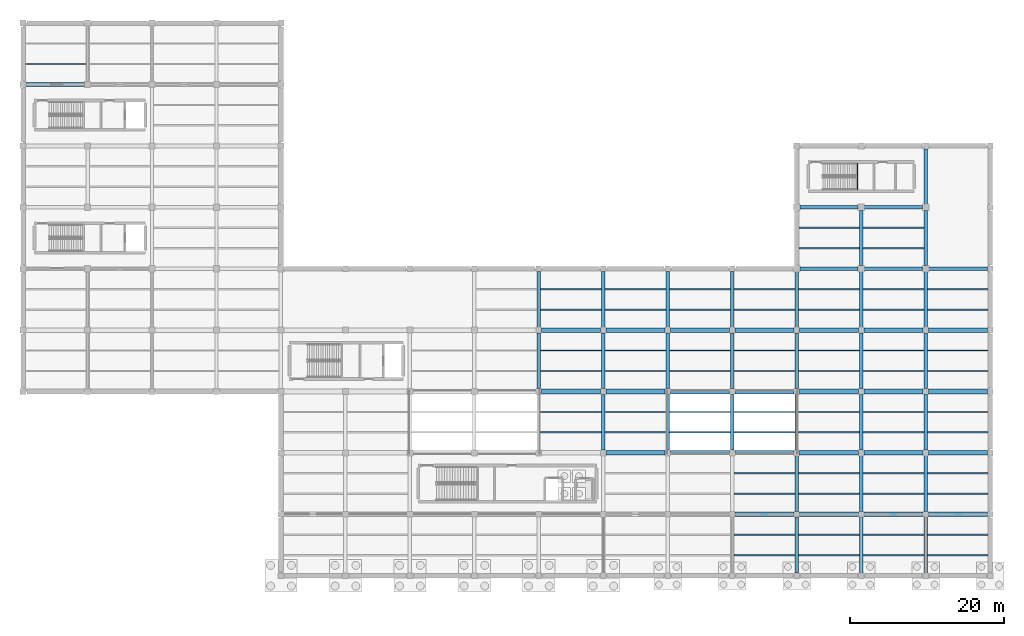
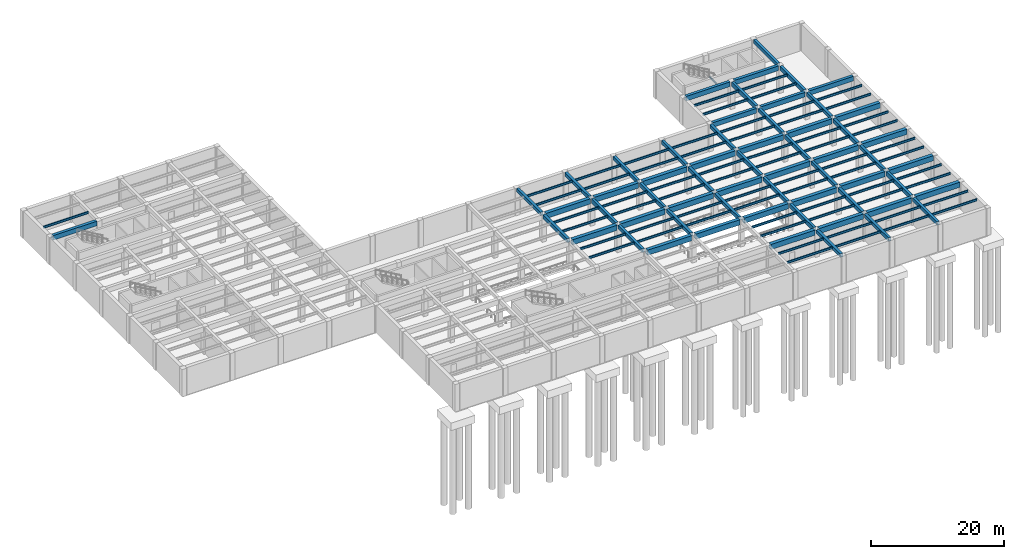
# One storey, part 3 of 16: 123 beams.
"""IFC4 building model written with IfcOpenShell, lengths in metres."""

from ifc_helpers import new_model, si_unit, direction, frame, origin, origin_2d, place, context, subcontext, project, spatial, rectangle, i_section, extrude, material, material_profile, profile_set, type_object, element, save


model = new_model("IFC4")

# Units and contexts
model_context = context("Model", 3, precision=1e-05, world=origin(), true_north=direction((0.0, 1.0)))
body_context = subcontext(model_context, "Body", "Model", "MODEL_VIEW")
ifc_project = project(units=[si_unit("LENGTHUNIT", "METRE"), si_unit("AREAUNIT", "SQUARE_METRE"), si_unit("VOLUMEUNIT", "CUBIC_METRE"), si_unit("PLANEANGLEUNIT", "RADIAN"), si_unit("MASSUNIT", "GRAM", prefix="KILO")], contexts=[model_context])

# Site, building, storey
site_placement = place(None, origin())
site = spatial("IfcSite", under=ifc_project, at=site_placement, CompositionType="ELEMENT")
building_placement = place(site_placement, origin())
building = spatial("IfcBuilding", under=site, at=building_placement, Name="Kranzveld Transit Interchange", CompositionType="ELEMENT")
storey_placement = place(building_placement, frame((0.0, 0.0, -5.43994140625)))
storey = spatial("IfcBuildingStorey", under=building, at=storey_placement, Name="B1", CompositionType="ELEMENT", Elevation=-5.43994140625)

# Beams
ifc_material_1 = material(Name="Concrete C35/45", Category="concrete")
ifc_material_profile_1 = material_profile(ifc_material_1, rectangle(XDim=0.449951171875, YDim=0.64990234375, at=origin_2d()), Name="RC 450x650")
ifc_profile_set_1 = profile_set([ifc_material_profile_1], Name="Concrete C35/45")
beam_type_1 = type_object("IfcBeamType", Name="Beam RC 450x650 C35/45", PredefinedType="BEAM", material=ifc_profile_set_1)
for number, where, z_axis, x_axis, name in (
    (1, (67.199951171875, 56.364990234375, 4.69482421875), (0.0, 1.0, 0.0), (-1.0, 0.0, 0.0), "B1 Girder 09/H-J"),
    (2, (75.60009765625, 40.364990234375, 4.69482421875), (0.0, 1.0, 0.0), (-1.0, 0.0, 0.0), "B1 Girder 10/F-G"),
    (3, (75.60009765625, 56.364990234375, 4.69482421875), (0.0, 1.0, 0.0), (-1.0, 0.0, 0.0), "B1 Girder 10/H-J"),
    (4, (84.0, 40.364990234375, 4.69482421875), (0.0, 1.0, 0.0), (-1.0, 0.0, 0.0), "B1 Girder 11/F-G"),
    (5, (84.0, 56.364990234375, 4.69482421875), (0.0, 1.0, 0.0), (-1.0, 0.0, 0.0), "B1 Girder 11/H-J"),
    (6, (92.39990234375, 40.364990234375, 4.69482421875), (0.0, 1.0, 0.0), (-1.0, 0.0, 0.0), "B1 Girder 12/F-G"),
    (7, (92.39990234375, 56.364990234375, 4.69482421875), (0.0, 1.0, 0.0), (-1.0, 0.0, 0.0), "B1 Girder 12/H-J"),
    (8, (100.800048828125, 24.364990234375, 4.69482421875), (0.0, 1.0, 0.0), (-1.0, 0.0, 0.0), "B1 Girder 13/D-E"),
    (9, (100.800048828125, 40.364990234375, 4.69482421875), (0.0, 1.0, 0.0), (-1.0, 0.0, 0.0), "B1 Girder 13/F-G"),
):
    element("IfcBeam", number, at=place(storey_placement, frame(where, z_axis=z_axis, x_axis=x_axis)), inside=storey, type_object=beam_type_1, Name=name, PredefinedType="BEAM", context=body_context, shape_type="SweptSolid", body=[
        extrude(rectangle(XDim=0.449951171875, YDim=0.64990234375, at=origin_2d()), origin(), (0.0, 0.0, 1.0), 7.27001953125),
    ])
beam_1_placement = place(storey_placement, frame((100.800048828125, 56.364990234375, 4.69482421875), z_axis=(0.0, 1.0, 0.0), x_axis=(-1.0, 0.0, 0.0)))
element("IfcBeam", 10, at=beam_1_placement, inside=storey, type_object=beam_type_1, Name="B1 Girder 13/H-J", PredefinedType="BEAM", context=body_context, shape_type="SweptSolid", body=[
    extrude(rectangle(XDim=0.449951171875, YDim=0.64990234375, at=origin_2d()), origin(), (0.0, 0.0, 1.0), 7.2451171875),
])
for number, where, z_axis, x_axis, name in (
    (11, (109.199951171875, 24.364990234375, 4.69482421875), (0.0, 1.0, 0.0), (-1.0, 0.0, 0.0), "B1 Girder 14/D-E"),
    (12, (109.199951171875, 40.364990234375, 4.69482421875), (0.0, 1.0, 0.0), (-1.0, 0.0, 0.0), "B1 Girder 14/F-G"),
):
    element("IfcBeam", number, at=place(storey_placement, frame(where, z_axis=z_axis, x_axis=x_axis)), inside=storey, type_object=beam_type_1, Name=name, PredefinedType="BEAM", context=body_context, shape_type="SweptSolid", body=[
        extrude(rectangle(XDim=0.449951171875, YDim=0.64990234375, at=origin_2d()), origin(), (0.0, 0.0, 1.0), 7.27001953125),
    ])
beam_2_placement = place(storey_placement, frame((109.199951171875, 56.364990234375, 4.69482421875), z_axis=(0.0, 1.0, 0.0), x_axis=(-1.0, 0.0, 0.0)))
element("IfcBeam", 13, at=beam_2_placement, inside=storey, type_object=beam_type_1, Name="B1 Girder 14/H-J", PredefinedType="BEAM", context=body_context, shape_type="SweptSolid", body=[
    extrude(rectangle(XDim=0.449951171875, YDim=0.64990234375, at=origin_2d()), origin(), (0.0, 0.0, 1.0), 7.2451171875),
])
for number, where, z_axis, x_axis, name in (
    (14, (117.60009765625, 24.364990234375, 4.69482421875), (0.0, 1.0, 0.0), (-1.0, 0.0, 0.0), "B1 Girder 15/D-E"),
    (15, (117.60009765625, 40.364990234375, 4.69482421875), (0.0, 1.0, 0.0), (-1.0, 0.0, 0.0), "B1 Girder 15/F-G"),
):
    element("IfcBeam", number, at=place(storey_placement, frame(where, z_axis=z_axis, x_axis=x_axis)), inside=storey, type_object=beam_type_1, Name=name, PredefinedType="BEAM", context=body_context, shape_type="SweptSolid", body=[
        extrude(rectangle(XDim=0.449951171875, YDim=0.64990234375, at=origin_2d()), origin(), (0.0, 0.0, 1.0), 7.27001953125),
    ])
beam_3_placement = place(storey_placement, frame((117.60009765625, 56.364990234375, 4.69482421875), z_axis=(0.0, 1.0, 0.0), x_axis=(-1.0, 0.0, 0.0)))
element("IfcBeam", 16, at=beam_3_placement, inside=storey, type_object=beam_type_1, Name="B1 Girder 15/H-J", PredefinedType="BEAM", context=body_context, shape_type="SweptSolid", body=[
    extrude(rectangle(XDim=0.449951171875, YDim=0.64990234375, at=origin_2d()), origin(), (0.0, 0.0, 1.0), 7.2451171875),
])
beam_4_placement = place(storey_placement, frame((117.60009765625, 72.389892578125, 4.69482421875), z_axis=(0.0, 1.0, 0.0), x_axis=(-1.0, 0.0, 0.0)))
element("IfcBeam", 17, at=beam_4_placement, inside=storey, type_object=beam_type_1, Name="B1 Girder 15/K-L", PredefinedType="BEAM", context=body_context, shape_type="SweptSolid", body=[
    extrude(rectangle(XDim=0.449951171875, YDim=0.64990234375, at=origin_2d()), origin(), (0.0, 0.0, 1.0), 7.22021484375),
])
ifc_material_2 = material(Name="Concrete C35/45", Category="concrete")
ifc_material_profile_2 = material_profile(ifc_material_2, rectangle(XDim=0.449951171875, YDim=0.75, at=origin_2d()), Name="RC 450x750")
ifc_profile_set_2 = profile_set([ifc_material_profile_2], Name="Concrete C35/45")
beam_type_2 = type_object("IfcBeamType", Name="Beam RC 450x750 C35/45", PredefinedType="BEAM", material=ifc_profile_set_2)
for number, where, z_axis, x_axis, name in (
    (18, (67.199951171875, 48.364990234375, 4.64501953125), (0.0, 1.0, 0.0), (-1.0, 0.0, 0.0), "B1 Girder 09/G-H"),
    (19, (75.60009765625, 48.364990234375, 4.64501953125), (0.0, 1.0, 0.0), (-1.0, 0.0, 0.0), "B1 Girder 10/G-H"),
    (20, (84.0, 48.364990234375, 4.64501953125), (0.0, 1.0, 0.0), (-1.0, 0.0, 0.0), "B1 Girder 11/G-H"),
    (21, (92.39990234375, 48.364990234375, 4.64501953125), (0.0, 1.0, 0.0), (-1.0, 0.0, 0.0), "B1 Girder 12/G-H"),
    (22, (100.800048828125, 32.364990234375, 4.64501953125), (0.0, 1.0, 0.0), (-1.0, 0.0, 0.0), "B1 Girder 13/E-F"),
    (23, (100.800048828125, 48.364990234375, 4.64501953125), (0.0, 1.0, 0.0), (-1.0, 0.0, 0.0), "B1 Girder 13/G-H"),
    (24, (109.199951171875, 32.364990234375, 4.64501953125), (0.0, 1.0, 0.0), (-1.0, 0.0, 0.0), "B1 Girder 14/E-F"),
    (25, (109.199951171875, 48.364990234375, 4.64501953125), (0.0, 1.0, 0.0), (-1.0, 0.0, 0.0), "B1 Girder 14/G-H"),
):
    element("IfcBeam", number, at=place(storey_placement, frame(where, z_axis=z_axis, x_axis=x_axis)), inside=storey, type_object=beam_type_2, Name=name, PredefinedType="BEAM", context=body_context, shape_type="SweptSolid", body=[
        extrude(rectangle(XDim=0.449951171875, YDim=0.75, at=origin_2d()), origin(), (0.0, 0.0, 1.0), 7.27001953125),
    ])
beam_5_placement = place(storey_placement, frame((109.199951171875, 64.389892578125, 4.64501953125), z_axis=(0.0, 1.0, 0.0), x_axis=(-1.0, 0.0, 0.0)))
element("IfcBeam", 26, at=beam_5_placement, inside=storey, type_object=beam_type_2, Name="B1 Girder 14/J-K", PredefinedType="BEAM", context=body_context, shape_type="SweptSolid", body=[
    extrude(rectangle(XDim=0.449951171875, YDim=0.75, at=origin_2d()), origin(), (0.0, 0.0, 1.0), 7.22021484375),
])
for number, where, z_axis, x_axis, name in (
    (27, (117.60009765625, 32.364990234375, 4.64501953125), (0.0, 1.0, 0.0), (-1.0, 0.0, 0.0), "B1 Girder 15/E-F"),
    (28, (117.60009765625, 48.364990234375, 4.64501953125), (0.0, 1.0, 0.0), (-1.0, 0.0, 0.0), "B1 Girder 15/G-H"),
):
    element("IfcBeam", number, at=place(storey_placement, frame(where, z_axis=z_axis, x_axis=x_axis)), inside=storey, type_object=beam_type_2, Name=name, PredefinedType="BEAM", context=body_context, shape_type="SweptSolid", body=[
        extrude(rectangle(XDim=0.449951171875, YDim=0.75, at=origin_2d()), origin(), (0.0, 0.0, 1.0), 7.27001953125),
    ])
beam_6_placement = place(storey_placement, frame((117.60009765625, 64.389892578125, 4.64501953125), z_axis=(0.0, 1.0, 0.0), x_axis=(-1.0, 0.0, 0.0)))
element("IfcBeam", 29, at=beam_6_placement, inside=storey, type_object=beam_type_2, Name="B1 Girder 15/J-K", PredefinedType="BEAM", context=body_context, shape_type="SweptSolid", body=[
    extrude(rectangle(XDim=0.449951171875, YDim=0.75, at=origin_2d()), origin(), (0.0, 0.0, 1.0), 7.22021484375),
])
ifc_material_3 = material(Name="Steel S355JR", Category="steel")
ifc_material_profile_3 = material_profile(ifc_material_3, i_section(OverallWidth=0.177978515625, OverallDepth=0.406494140625, WebThickness=0.0078125, FlangeThickness=0.0126953125, FilletRadius=0.01025390625, at=origin_2d()), Name="UB 406x178x60")
ifc_profile_set_3 = profile_set([ifc_material_profile_3], Name="Steel S355JR")
beam_type_3 = type_object("IfcBeamType", Name="Floor Joist UB 406x178x60 S355JR", PredefinedType="JOIST", material=ifc_profile_set_3)
beam_7_placement = place(storey_placement, frame((0.302001953125, 90.666748046875, 4.816650390625), z_axis=(1.0, 0.0, 0.0), x_axis=(0.0, 1.0, 0.0)))
element("IfcBeam", 30, at=beam_7_placement, inside=storey, type_object=beam_type_3, Name="B1 Secondary Joist 01-02/M.1", PredefinedType="JOIST", context=body_context, shape_type="SweptSolid", body=[
    extrude(i_section(OverallWidth=0.177978515625, OverallDepth=0.406494140625, WebThickness=0.0078125, FlangeThickness=0.0126953125, FilletRadius=0.01025390625, at=origin_2d()), origin(), (0.0, 0.0, 1.0), 7.87109375),
])
for number, where, z_axis, x_axis, name in (
    (31, (67.427001953125, 42.666748046875, 4.816650390625), (1.0, 0.0, 0.0), (0.0, 1.0, 0.0), "B1 Secondary Joist 09-10/F.1"),
    (32, (67.427001953125, 45.333251953125, 4.816650390625), (1.0, 0.0, 0.0), (0.0, 1.0, 0.0), "B1 Secondary Joist 09-10/F.2"),
    (33, (67.427001953125, 50.666748046875, 4.816650390625), (1.0, 0.0, 0.0), (0.0, 1.0, 0.0), "B1 Secondary Joist 09-10/G.1"),
    (34, (67.427001953125, 53.333251953125, 4.816650390625), (1.0, 0.0, 0.0), (0.0, 1.0, 0.0), "B1 Secondary Joist 09-10/G.2"),
    (35, (67.427001953125, 58.666748046875, 4.816650390625), (1.0, 0.0, 0.0), (0.0, 1.0, 0.0), "B1 Secondary Joist 09-10/H.1"),
    (36, (67.427001953125, 61.333251953125, 4.816650390625), (1.0, 0.0, 0.0), (0.0, 1.0, 0.0), "B1 Secondary Joist 09-10/H.2"),
    (37, (75.826904296875, 42.666748046875, 4.816650390625), (1.0, 0.0, 0.0), (0.0, 1.0, 0.0), "B1 Secondary Joist 10-11/F.1"),
    (38, (75.826904296875, 45.333251953125, 4.816650390625), (1.0, 0.0, 0.0), (0.0, 1.0, 0.0), "B1 Secondary Joist 10-11/F.2"),
    (39, (75.826904296875, 50.666748046875, 4.816650390625), (1.0, 0.0, 0.0), (0.0, 1.0, 0.0), "B1 Secondary Joist 10-11/G.1"),
    (40, (75.826904296875, 53.333251953125, 4.816650390625), (1.0, 0.0, 0.0), (0.0, 1.0, 0.0), "B1 Secondary Joist 10-11/G.2"),
    (41, (75.826904296875, 58.666748046875, 4.816650390625), (1.0, 0.0, 0.0), (0.0, 1.0, 0.0), "B1 Secondary Joist 10-11/H.1"),
    (42, (75.826904296875, 61.333251953125, 4.816650390625), (1.0, 0.0, 0.0), (0.0, 1.0, 0.0), "B1 Secondary Joist 10-11/H.2"),
    (43, (84.22705078125, 42.666748046875, 4.816650390625), (1.0, 0.0, 0.0), (0.0, 1.0, 0.0), "B1 Secondary Joist 11-12/F.1"),
    (44, (84.22705078125, 45.333251953125, 4.816650390625), (1.0, 0.0, 0.0), (0.0, 1.0, 0.0), "B1 Secondary Joist 11-12/F.2"),
    (45, (84.22705078125, 50.666748046875, 4.816650390625), (1.0, 0.0, 0.0), (0.0, 1.0, 0.0), "B1 Secondary Joist 11-12/G.1"),
    (46, (84.22705078125, 53.333251953125, 4.816650390625), (1.0, 0.0, 0.0), (0.0, 1.0, 0.0), "B1 Secondary Joist 11-12/G.2"),
    (47, (84.22705078125, 58.666748046875, 4.816650390625), (1.0, 0.0, 0.0), (0.0, 1.0, 0.0), "B1 Secondary Joist 11-12/H.1"),
    (48, (84.22705078125, 61.333251953125, 4.816650390625), (1.0, 0.0, 0.0), (0.0, 1.0, 0.0), "B1 Secondary Joist 11-12/H.2"),
    (49, (92.626953125, 26.666748046875, 4.816650390625), (1.0, 0.0, 0.0), (0.0, 1.0, 0.0), "B1 Secondary Joist 12-13/D.1"),
    (50, (92.626953125, 29.333251953125, 4.816650390625), (1.0, 0.0, 0.0), (0.0, 1.0, 0.0), "B1 Secondary Joist 12-13/D.2"),
    (51, (92.626953125, 34.666748046875, 4.816650390625), (1.0, 0.0, 0.0), (0.0, 1.0, 0.0), "B1 Secondary Joist 12-13/E.1"),
    (52, (92.626953125, 37.333251953125, 4.816650390625), (1.0, 0.0, 0.0), (0.0, 1.0, 0.0), "B1 Secondary Joist 12-13/E.2"),
    (53, (92.626953125, 42.666748046875, 4.816650390625), (1.0, 0.0, 0.0), (0.0, 1.0, 0.0), "B1 Secondary Joist 12-13/F.1"),
    (54, (92.626953125, 45.333251953125, 4.816650390625), (1.0, 0.0, 0.0), (0.0, 1.0, 0.0), "B1 Secondary Joist 12-13/F.2"),
    (55, (92.626953125, 50.666748046875, 4.816650390625), (1.0, 0.0, 0.0), (0.0, 1.0, 0.0), "B1 Secondary Joist 12-13/G.1"),
    (56, (92.626953125, 53.333251953125, 4.816650390625), (1.0, 0.0, 0.0), (0.0, 1.0, 0.0), "B1 Secondary Joist 12-13/G.2"),
    (57, (92.626953125, 58.666748046875, 4.816650390625), (1.0, 0.0, 0.0), (0.0, 1.0, 0.0), "B1 Secondary Joist 12-13/H.1"),
    (58, (92.626953125, 61.333251953125, 4.816650390625), (1.0, 0.0, 0.0), (0.0, 1.0, 0.0), "B1 Secondary Joist 12-13/H.2"),
):
    element("IfcBeam", number, at=place(storey_placement, frame(where, z_axis=z_axis, x_axis=x_axis)), inside=storey, type_object=beam_type_3, Name=name, PredefinedType="JOIST", context=body_context, shape_type="SweptSolid", body=[
        extrude(i_section(OverallWidth=0.177978515625, OverallDepth=0.406494140625, WebThickness=0.0078125, FlangeThickness=0.0126953125, FilletRadius=0.01025390625, at=origin_2d()), origin(), (0.0, 0.0, 1.0), 7.946044921875),
    ])
for number, where, z_axis, x_axis, name in (
    (59, (101.027099609375, 26.666748046875, 4.816650390625), (1.0, 0.0, 0.0), (0.0, 1.0, 0.0), "B1 Secondary Joist 13-14/D.1"),
    (60, (101.027099609375, 29.333251953125, 4.816650390625), (1.0, 0.0, 0.0), (0.0, 1.0, 0.0), "B1 Secondary Joist 13-14/D.2"),
    (61, (101.027099609375, 34.666748046875, 4.816650390625), (1.0, 0.0, 0.0), (0.0, 1.0, 0.0), "B1 Secondary Joist 13-14/E.1"),
    (62, (101.027099609375, 37.333251953125, 4.816650390625), (1.0, 0.0, 0.0), (0.0, 1.0, 0.0), "B1 Secondary Joist 13-14/E.2"),
    (63, (101.027099609375, 42.666748046875, 4.816650390625), (1.0, 0.0, 0.0), (0.0, 1.0, 0.0), "B1 Secondary Joist 13-14/F.1"),
    (64, (101.027099609375, 45.333251953125, 4.816650390625), (1.0, 0.0, 0.0), (0.0, 1.0, 0.0), "B1 Secondary Joist 13-14/F.2"),
    (65, (101.027099609375, 50.666748046875, 4.816650390625), (1.0, 0.0, 0.0), (0.0, 1.0, 0.0), "B1 Secondary Joist 13-14/G.1"),
    (66, (101.027099609375, 53.333251953125, 4.816650390625), (1.0, 0.0, 0.0), (0.0, 1.0, 0.0), "B1 Secondary Joist 13-14/G.2"),
    (67, (101.027099609375, 58.666748046875, 4.816650390625), (1.0, 0.0, 0.0), (0.0, 1.0, 0.0), "B1 Secondary Joist 13-14/H.1"),
    (68, (101.027099609375, 61.333251953125, 4.816650390625), (1.0, 0.0, 0.0), (0.0, 1.0, 0.0), "B1 Secondary Joist 13-14/H.2"),
):
    element("IfcBeam", number, at=place(storey_placement, frame(where, z_axis=z_axis, x_axis=x_axis)), inside=storey, type_object=beam_type_3, Name=name, PredefinedType="JOIST", context=body_context, shape_type="SweptSolid", body=[
        extrude(i_section(OverallWidth=0.177978515625, OverallDepth=0.406494140625, WebThickness=0.0078125, FlangeThickness=0.0126953125, FilletRadius=0.01025390625, at=origin_2d()), origin(), (0.0, 0.0, 1.0), 7.94580078125),
    ])
for number, where, z_axis, x_axis, name in (
    (69, (101.10205078125, 66.666748046875, 4.816650390625), (1.0, 0.0, 0.0), (0.0, 1.0, 0.0), "B1 Secondary Joist 13-14/J.1"),
    (70, (101.10205078125, 69.333251953125, 4.816650390625), (1.0, 0.0, 0.0), (0.0, 1.0, 0.0), "B1 Secondary Joist 13-14/J.2"),
):
    element("IfcBeam", number, at=place(storey_placement, frame(where, z_axis=z_axis, x_axis=x_axis)), inside=storey, type_object=beam_type_3, Name=name, PredefinedType="JOIST", context=body_context, shape_type="SweptSolid", body=[
        extrude(i_section(OverallWidth=0.177978515625, OverallDepth=0.406494140625, WebThickness=0.0078125, FlangeThickness=0.0126953125, FilletRadius=0.01025390625, at=origin_2d()), origin(), (0.0, 0.0, 1.0), 7.870849609375),
    ])
for number, where, z_axis, x_axis, name in (
    (71, (109.427001953125, 26.666748046875, 4.816650390625), (1.0, 0.0, 0.0), (0.0, 1.0, 0.0), "B1 Secondary Joist 14-15/D.1"),
    (72, (109.427001953125, 29.333251953125, 4.816650390625), (1.0, 0.0, 0.0), (0.0, 1.0, 0.0), "B1 Secondary Joist 14-15/D.2"),
    (73, (109.427001953125, 34.666748046875, 4.816650390625), (1.0, 0.0, 0.0), (0.0, 1.0, 0.0), "B1 Secondary Joist 14-15/E.1"),
    (74, (109.427001953125, 37.333251953125, 4.816650390625), (1.0, 0.0, 0.0), (0.0, 1.0, 0.0), "B1 Secondary Joist 14-15/E.2"),
    (75, (109.427001953125, 42.666748046875, 4.816650390625), (1.0, 0.0, 0.0), (0.0, 1.0, 0.0), "B1 Secondary Joist 14-15/F.1"),
    (76, (109.427001953125, 45.333251953125, 4.816650390625), (1.0, 0.0, 0.0), (0.0, 1.0, 0.0), "B1 Secondary Joist 14-15/F.2"),
    (77, (109.427001953125, 50.666748046875, 4.816650390625), (1.0, 0.0, 0.0), (0.0, 1.0, 0.0), "B1 Secondary Joist 14-15/G.1"),
    (78, (109.427001953125, 53.333251953125, 4.816650390625), (1.0, 0.0, 0.0), (0.0, 1.0, 0.0), "B1 Secondary Joist 14-15/G.2"),
    (79, (109.427001953125, 58.666748046875, 4.816650390625), (1.0, 0.0, 0.0), (0.0, 1.0, 0.0), "B1 Secondary Joist 14-15/H.1"),
    (80, (109.427001953125, 61.333251953125, 4.816650390625), (1.0, 0.0, 0.0), (0.0, 1.0, 0.0), "B1 Secondary Joist 14-15/H.2"),
    (81, (109.427001953125, 66.666748046875, 4.816650390625), (1.0, 0.0, 0.0), (0.0, 1.0, 0.0), "B1 Secondary Joist 14-15/J.1"),
    (82, (109.427001953125, 69.333251953125, 4.816650390625), (1.0, 0.0, 0.0), (0.0, 1.0, 0.0), "B1 Secondary Joist 14-15/J.2"),
):
    element("IfcBeam", number, at=place(storey_placement, frame(where, z_axis=z_axis, x_axis=x_axis)), inside=storey, type_object=beam_type_3, Name=name, PredefinedType="JOIST", context=body_context, shape_type="SweptSolid", body=[
        extrude(i_section(OverallWidth=0.177978515625, OverallDepth=0.406494140625, WebThickness=0.0078125, FlangeThickness=0.0126953125, FilletRadius=0.01025390625, at=origin_2d()), origin(), (0.0, 0.0, 1.0), 7.946044921875),
    ])
for number, where, z_axis, x_axis, name in (
    (83, (117.826904296875, 26.666748046875, 4.816650390625), (1.0, 0.0, 0.0), (0.0, 1.0, 0.0), "B1 Secondary Joist 15-16/D.1"),
    (84, (117.826904296875, 29.333251953125, 4.816650390625), (1.0, 0.0, 0.0), (0.0, 1.0, 0.0), "B1 Secondary Joist 15-16/D.2"),
    (85, (117.826904296875, 34.666748046875, 4.816650390625), (1.0, 0.0, 0.0), (0.0, 1.0, 0.0), "B1 Secondary Joist 15-16/E.1"),
    (86, (117.826904296875, 37.333251953125, 4.816650390625), (1.0, 0.0, 0.0), (0.0, 1.0, 0.0), "B1 Secondary Joist 15-16/E.2"),
    (87, (117.826904296875, 42.666748046875, 4.816650390625), (1.0, 0.0, 0.0), (0.0, 1.0, 0.0), "B1 Secondary Joist 15-16/F.1"),
    (88, (117.826904296875, 45.333251953125, 4.816650390625), (1.0, 0.0, 0.0), (0.0, 1.0, 0.0), "B1 Secondary Joist 15-16/F.2"),
    (89, (117.826904296875, 50.666748046875, 4.816650390625), (1.0, 0.0, 0.0), (0.0, 1.0, 0.0), "B1 Secondary Joist 15-16/G.1"),
    (90, (117.826904296875, 53.333251953125, 4.816650390625), (1.0, 0.0, 0.0), (0.0, 1.0, 0.0), "B1 Secondary Joist 15-16/G.2"),
    (91, (117.826904296875, 58.666748046875, 4.816650390625), (1.0, 0.0, 0.0), (0.0, 1.0, 0.0), "B1 Secondary Joist 15-16/H.1"),
    (92, (117.826904296875, 61.333251953125, 4.816650390625), (1.0, 0.0, 0.0), (0.0, 1.0, 0.0), "B1 Secondary Joist 15-16/H.2"),
):
    element("IfcBeam", number, at=place(storey_placement, frame(where, z_axis=z_axis, x_axis=x_axis)), inside=storey, type_object=beam_type_3, Name=name, PredefinedType="JOIST", context=body_context, shape_type="SweptSolid", body=[
        extrude(i_section(OverallWidth=0.177978515625, OverallDepth=0.406494140625, WebThickness=0.0078125, FlangeThickness=0.0126953125, FilletRadius=0.01025390625, at=origin_2d()), origin(), (0.0, 0.0, 1.0), 7.87109375),
    ])
ifc_material_4 = material(Name="Concrete C40/50", Category="concrete")
ifc_material_profile_4 = material_profile(ifc_material_4, rectangle(XDim=0.5, YDim=0.85009765625, at=origin_2d()), Name="RC 500x850")
ifc_profile_set_4 = profile_set([ifc_material_profile_4], Name="Concrete C40/50")
beam_type_4 = type_object("IfcBeamType", Name="Girder RC 500x850 C40/50", PredefinedType="BEAM", material=ifc_profile_set_4)
beam_8_placement = place(storey_placement, frame((101.18994140625, 64.0, 4.594970703125), z_axis=(1.0, 0.0, 0.0), x_axis=(0.0, 1.0, 0.0)))
element("IfcBeam", 93, at=beam_8_placement, inside=storey, type_object=beam_type_4, Name="B1 Girder 13-14/J", PredefinedType="BEAM", context=body_context, shape_type="SweptSolid", body=[
    extrude(rectangle(XDim=0.5, YDim=0.85009765625, at=origin_2d()), origin(), (0.0, 0.0, 1.0), 7.6201171875),
])
beam_9_placement = place(storey_placement, frame((109.590087890625, 64.0, 4.594970703125), z_axis=(1.0, 0.0, 0.0), x_axis=(0.0, 1.0, 0.0)))
element("IfcBeam", 94, at=beam_9_placement, inside=storey, type_object=beam_type_4, Name="B1 Girder 14-15/J", PredefinedType="BEAM", context=body_context, shape_type="SweptSolid", body=[
    extrude(rectangle(XDim=0.5, YDim=0.85009765625, at=origin_2d()), origin(), (0.0, 0.0, 1.0), 7.619873046875),
])
beam_10_placement = place(storey_placement, frame((117.989990234375, 64.0, 4.594970703125), z_axis=(1.0, 0.0, 0.0), x_axis=(0.0, 1.0, 0.0)))
element("IfcBeam", 95, at=beam_10_placement, inside=storey, type_object=beam_type_4, Name="B1 Girder 15-16/J", PredefinedType="BEAM", context=body_context, shape_type="SweptSolid", body=[
    extrude(rectangle(XDim=0.5, YDim=0.85009765625, at=origin_2d()), origin(), (0.0, 0.0, 1.0), 7.64501953125),
])
beam_11_placement = place(storey_placement, frame((101.18994140625, 72.0, 4.594970703125), z_axis=(1.0, 0.0, 0.0), x_axis=(0.0, 1.0, 0.0)))
element("IfcBeam", 96, at=beam_11_placement, inside=storey, type_object=beam_type_4, Name="B1 Girder 13-14/K", PredefinedType="BEAM", context=body_context, shape_type="SweptSolid", body=[
    extrude(rectangle(XDim=0.5, YDim=0.85009765625, at=origin_2d()), origin(), (0.0, 0.0, 1.0), 7.6201171875),
])
beam_12_placement = place(storey_placement, frame((109.590087890625, 72.0, 4.594970703125), z_axis=(1.0, 0.0, 0.0), x_axis=(0.0, 1.0, 0.0)))
element("IfcBeam", 97, at=beam_12_placement, inside=storey, type_object=beam_type_4, Name="B1 Girder 14-15/K", PredefinedType="BEAM", context=body_context, shape_type="SweptSolid", body=[
    extrude(rectangle(XDim=0.5, YDim=0.85009765625, at=origin_2d()), origin(), (0.0, 0.0, 1.0), 7.619873046875),
])
beam_13_placement = place(storey_placement, frame((0.389892578125, 88.0, 4.594970703125), z_axis=(1.0, 0.0, 0.0), x_axis=(0.0, 1.0, 0.0)))
element("IfcBeam", 98, at=beam_13_placement, inside=storey, type_object=beam_type_4, Name="B1 Girder 01-02/M", PredefinedType="BEAM", context=body_context, shape_type="SweptSolid", body=[
    extrude(rectangle(XDim=0.5, YDim=0.85009765625, at=origin_2d()), origin(), (0.0, 0.0, 1.0), 7.6201171875),
])
ifc_material_5 = material(Name="Concrete C40/50", Category="concrete")
ifc_material_profile_5 = material_profile(ifc_material_5, rectangle(XDim=0.60009765625, YDim=0.949951171875, at=origin_2d()), Name="RC 600x950")
ifc_profile_set_5 = profile_set([ifc_material_profile_5], Name="Concrete C40/50")
beam_type_5 = type_object("IfcBeamType", Name="Girder RC 600x950 C40/50", PredefinedType="BEAM", material=ifc_profile_set_5)
beam_14_placement = place(storey_placement, frame((92.764892578125, 32.0, 4.544921875), z_axis=(1.0, 0.0, 0.0), x_axis=(0.0, 1.0, 0.0)))
element("IfcBeam", 99, at=beam_14_placement, inside=storey, type_object=beam_type_5, Name="B1 Girder 12-13/E", PredefinedType="BEAM", context=body_context, shape_type="SweptSolid", body=[
    extrude(rectangle(XDim=0.60009765625, YDim=0.949951171875, at=origin_2d()), origin(), (0.0, 0.0, 1.0), 7.670166015625),
])
beam_15_placement = place(storey_placement, frame((101.1650390625, 32.0, 4.544921875), z_axis=(1.0, 0.0, 0.0), x_axis=(0.0, 1.0, 0.0)))
element("IfcBeam", 100, at=beam_15_placement, inside=storey, type_object=beam_type_5, Name="B1 Girder 13-14/E", PredefinedType="BEAM", context=body_context, shape_type="SweptSolid", body=[
    extrude(rectangle(XDim=0.60009765625, YDim=0.949951171875, at=origin_2d()), origin(), (0.0, 0.0, 1.0), 7.669921875),
])
beam_16_placement = place(storey_placement, frame((109.56494140625, 32.0, 4.544921875), z_axis=(1.0, 0.0, 0.0), x_axis=(0.0, 1.0, 0.0)))
element("IfcBeam", 101, at=beam_16_placement, inside=storey, type_object=beam_type_5, Name="B1 Girder 14-15/E", PredefinedType="BEAM", context=body_context, shape_type="SweptSolid", body=[
    extrude(rectangle(XDim=0.60009765625, YDim=0.949951171875, at=origin_2d()), origin(), (0.0, 0.0, 1.0), 7.670166015625),
])
for number, where, z_axis, x_axis, name in (
    (102, (117.965087890625, 32.0, 4.544921875), (1.0, 0.0, 0.0), (0.0, 1.0, 0.0), "B1 Girder 15-16/E"),
    (103, (75.965087890625, 40.0, 4.544921875), (1.0, 0.0, 0.0), (0.0, 1.0, 0.0), "B1 Girder 10-11/F"),
    (104, (84.364990234375, 40.0, 4.544921875), (1.0, 0.0, 0.0), (0.0, 1.0, 0.0), "B1 Girder 11-12/F"),
):
    element("IfcBeam", number, at=place(storey_placement, frame(where, z_axis=z_axis, x_axis=x_axis)), inside=storey, type_object=beam_type_5, Name=name, PredefinedType="BEAM", context=body_context, shape_type="SweptSolid", body=[
        extrude(rectangle(XDim=0.60009765625, YDim=0.949951171875, at=origin_2d()), origin(), (0.0, 0.0, 1.0), 7.669921875),
    ])
beam_17_placement = place(storey_placement, frame((92.764892578125, 40.0, 4.544921875), z_axis=(1.0, 0.0, 0.0), x_axis=(0.0, 1.0, 0.0)))
element("IfcBeam", 105, at=beam_17_placement, inside=storey, type_object=beam_type_5, Name="B1 Girder 12-13/F", PredefinedType="BEAM", context=body_context, shape_type="SweptSolid", body=[
    extrude(rectangle(XDim=0.60009765625, YDim=0.949951171875, at=origin_2d()), origin(), (0.0, 0.0, 1.0), 7.670166015625),
])
beam_18_placement = place(storey_placement, frame((101.1650390625, 40.0, 4.544921875), z_axis=(1.0, 0.0, 0.0), x_axis=(0.0, 1.0, 0.0)))
element("IfcBeam", 106, at=beam_18_placement, inside=storey, type_object=beam_type_5, Name="B1 Girder 13-14/F", PredefinedType="BEAM", context=body_context, shape_type="SweptSolid", body=[
    extrude(rectangle(XDim=0.60009765625, YDim=0.949951171875, at=origin_2d()), origin(), (0.0, 0.0, 1.0), 7.669921875),
])
beam_19_placement = place(storey_placement, frame((109.56494140625, 40.0, 4.544921875), z_axis=(1.0, 0.0, 0.0), x_axis=(0.0, 1.0, 0.0)))
element("IfcBeam", 107, at=beam_19_placement, inside=storey, type_object=beam_type_5, Name="B1 Girder 14-15/F", PredefinedType="BEAM", context=body_context, shape_type="SweptSolid", body=[
    extrude(rectangle(XDim=0.60009765625, YDim=0.949951171875, at=origin_2d()), origin(), (0.0, 0.0, 1.0), 7.670166015625),
])
beam_20_placement = place(storey_placement, frame((117.965087890625, 40.0, 4.544921875), z_axis=(1.0, 0.0, 0.0), x_axis=(0.0, 1.0, 0.0)))
element("IfcBeam", 108, at=beam_20_placement, inside=storey, type_object=beam_type_5, Name="B1 Girder 15-16/F", PredefinedType="BEAM", context=body_context, shape_type="SweptSolid", body=[
    extrude(rectangle(XDim=0.60009765625, YDim=0.949951171875, at=origin_2d()), origin(), (0.0, 0.0, 1.0), 7.669921875),
])
beam_21_placement = place(storey_placement, frame((67.56494140625, 48.0, 4.544921875), z_axis=(1.0, 0.0, 0.0), x_axis=(0.0, 1.0, 0.0)))
element("IfcBeam", 109, at=beam_21_placement, inside=storey, type_object=beam_type_5, Name="B1 Girder 09-10/G", PredefinedType="BEAM", context=body_context, shape_type="SweptSolid", body=[
    extrude(rectangle(XDim=0.60009765625, YDim=0.949951171875, at=origin_2d()), origin(), (0.0, 0.0, 1.0), 7.670166015625),
])
for number, where, z_axis, x_axis, name in (
    (110, (75.965087890625, 48.0, 4.544921875), (1.0, 0.0, 0.0), (0.0, 1.0, 0.0), "B1 Girder 10-11/G"),
    (111, (84.364990234375, 48.0, 4.544921875), (1.0, 0.0, 0.0), (0.0, 1.0, 0.0), "B1 Girder 11-12/G"),
):
    element("IfcBeam", number, at=place(storey_placement, frame(where, z_axis=z_axis, x_axis=x_axis)), inside=storey, type_object=beam_type_5, Name=name, PredefinedType="BEAM", context=body_context, shape_type="SweptSolid", body=[
        extrude(rectangle(XDim=0.60009765625, YDim=0.949951171875, at=origin_2d()), origin(), (0.0, 0.0, 1.0), 7.669921875),
    ])
beam_22_placement = place(storey_placement, frame((92.764892578125, 48.0, 4.544921875), z_axis=(1.0, 0.0, 0.0), x_axis=(0.0, 1.0, 0.0)))
element("IfcBeam", 112, at=beam_22_placement, inside=storey, type_object=beam_type_5, Name="B1 Girder 12-13/G", PredefinedType="BEAM", context=body_context, shape_type="SweptSolid", body=[
    extrude(rectangle(XDim=0.60009765625, YDim=0.949951171875, at=origin_2d()), origin(), (0.0, 0.0, 1.0), 7.670166015625),
])
beam_23_placement = place(storey_placement, frame((101.1650390625, 48.0, 4.544921875), z_axis=(1.0, 0.0, 0.0), x_axis=(0.0, 1.0, 0.0)))
element("IfcBeam", 113, at=beam_23_placement, inside=storey, type_object=beam_type_5, Name="B1 Girder 13-14/G", PredefinedType="BEAM", context=body_context, shape_type="SweptSolid", body=[
    extrude(rectangle(XDim=0.60009765625, YDim=0.949951171875, at=origin_2d()), origin(), (0.0, 0.0, 1.0), 7.669921875),
])
beam_24_placement = place(storey_placement, frame((109.56494140625, 48.0, 4.544921875), z_axis=(1.0, 0.0, 0.0), x_axis=(0.0, 1.0, 0.0)))
element("IfcBeam", 114, at=beam_24_placement, inside=storey, type_object=beam_type_5, Name="B1 Girder 14-15/G", PredefinedType="BEAM", context=body_context, shape_type="SweptSolid", body=[
    extrude(rectangle(XDim=0.60009765625, YDim=0.949951171875, at=origin_2d()), origin(), (0.0, 0.0, 1.0), 7.670166015625),
])
beam_25_placement = place(storey_placement, frame((117.965087890625, 48.0, 4.544921875), z_axis=(1.0, 0.0, 0.0), x_axis=(0.0, 1.0, 0.0)))
element("IfcBeam", 115, at=beam_25_placement, inside=storey, type_object=beam_type_5, Name="B1 Girder 15-16/G", PredefinedType="BEAM", context=body_context, shape_type="SweptSolid", body=[
    extrude(rectangle(XDim=0.60009765625, YDim=0.949951171875, at=origin_2d()), origin(), (0.0, 0.0, 1.0), 7.669921875),
])
beam_26_placement = place(storey_placement, frame((67.56494140625, 56.0, 4.544921875), z_axis=(1.0, 0.0, 0.0), x_axis=(0.0, 1.0, 0.0)))
element("IfcBeam", 116, at=beam_26_placement, inside=storey, type_object=beam_type_5, Name="B1 Girder 09-10/H", PredefinedType="BEAM", context=body_context, shape_type="SweptSolid", body=[
    extrude(rectangle(XDim=0.60009765625, YDim=0.949951171875, at=origin_2d()), origin(), (0.0, 0.0, 1.0), 7.670166015625),
])
for number, where, z_axis, x_axis, name in (
    (117, (75.965087890625, 56.0, 4.544921875), (1.0, 0.0, 0.0), (0.0, 1.0, 0.0), "B1 Girder 10-11/H"),
    (118, (84.364990234375, 56.0, 4.544921875), (1.0, 0.0, 0.0), (0.0, 1.0, 0.0), "B1 Girder 11-12/H"),
):
    element("IfcBeam", number, at=place(storey_placement, frame(where, z_axis=z_axis, x_axis=x_axis)), inside=storey, type_object=beam_type_5, Name=name, PredefinedType="BEAM", context=body_context, shape_type="SweptSolid", body=[
        extrude(rectangle(XDim=0.60009765625, YDim=0.949951171875, at=origin_2d()), origin(), (0.0, 0.0, 1.0), 7.669921875),
    ])
beam_27_placement = place(storey_placement, frame((92.764892578125, 56.0, 4.544921875), z_axis=(1.0, 0.0, 0.0), x_axis=(0.0, 1.0, 0.0)))
element("IfcBeam", 119, at=beam_27_placement, inside=storey, type_object=beam_type_5, Name="B1 Girder 12-13/H", PredefinedType="BEAM", context=body_context, shape_type="SweptSolid", body=[
    extrude(rectangle(XDim=0.60009765625, YDim=0.949951171875, at=origin_2d()), origin(), (0.0, 0.0, 1.0), 7.670166015625),
])
beam_28_placement = place(storey_placement, frame((101.1650390625, 56.0, 4.544921875), z_axis=(1.0, 0.0, 0.0), x_axis=(0.0, 1.0, 0.0)))
element("IfcBeam", 120, at=beam_28_placement, inside=storey, type_object=beam_type_5, Name="B1 Girder 13-14/H", PredefinedType="BEAM", context=body_context, shape_type="SweptSolid", body=[
    extrude(rectangle(XDim=0.60009765625, YDim=0.949951171875, at=origin_2d()), origin(), (0.0, 0.0, 1.0), 7.669921875),
])
beam_29_placement = place(storey_placement, frame((109.56494140625, 56.0, 4.544921875), z_axis=(1.0, 0.0, 0.0), x_axis=(0.0, 1.0, 0.0)))
element("IfcBeam", 121, at=beam_29_placement, inside=storey, type_object=beam_type_5, Name="B1 Girder 14-15/H", PredefinedType="BEAM", context=body_context, shape_type="SweptSolid", body=[
    extrude(rectangle(XDim=0.60009765625, YDim=0.949951171875, at=origin_2d()), origin(), (0.0, 0.0, 1.0), 7.670166015625),
])
beam_30_placement = place(storey_placement, frame((117.965087890625, 56.0, 4.544921875), z_axis=(1.0, 0.0, 0.0), x_axis=(0.0, 1.0, 0.0)))
element("IfcBeam", 122, at=beam_30_placement, inside=storey, type_object=beam_type_5, Name="B1 Girder 15-16/H", PredefinedType="BEAM", context=body_context, shape_type="SweptSolid", body=[
    extrude(rectangle(XDim=0.60009765625, YDim=0.949951171875, at=origin_2d()), origin(), (0.0, 0.0, 1.0), 7.669921875),
])
ifc_material_6 = material(Name="Steel S355JR", Category="steel")
ifc_material_profile_6 = material_profile(ifc_material_6, i_section(OverallWidth=0.165771484375, OverallDepth=0.306640625, WebThickness=0.006591796875, FlangeThickness=0.01171875, FilletRadius=0.0087890625, at=origin_2d()), Name="UB 305x165x46")
ifc_profile_set_6 = profile_set([ifc_material_profile_6], Name="Steel S355JR")
beam_type_6 = type_object("IfcBeamType", Name="Roof Joist UB 305x165x46 S355JR", PredefinedType="JOIST", material=ifc_profile_set_6)
beam_31_placement = place(storey_placement, frame((108.7099609375, 74.22998046875, 2.36669921875), z_axis=(0.0, 1.0, 0.0), x_axis=(-1.0, 0.0, 0.0)))
element("IfcBeam", 123, at=beam_31_placement, inside=storey, type_object=beam_type_6, Name="B1 ST-V4A Half-Landing Support Beam", PredefinedType="BEAM", context=body_context, shape_type="SweptSolid", body=[
    extrude(i_section(OverallWidth=0.165771484375, OverallDepth=0.306640625, WebThickness=0.006591796875, FlangeThickness=0.01171875, FilletRadius=0.0087890625, at=origin_2d()), origin(), (0.0, 0.0, 1.0), 3.5400390625),
])

save(model, "model.ifc")
